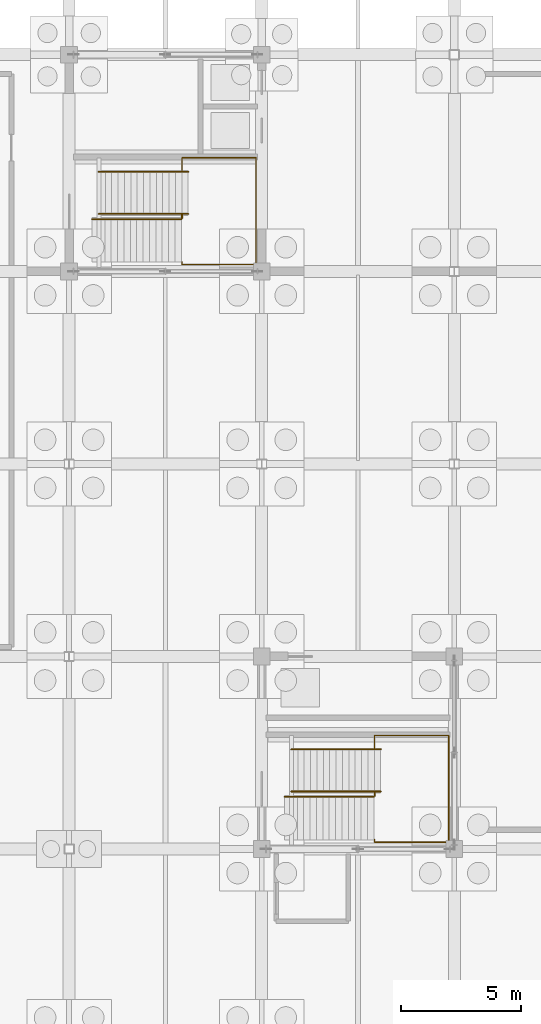
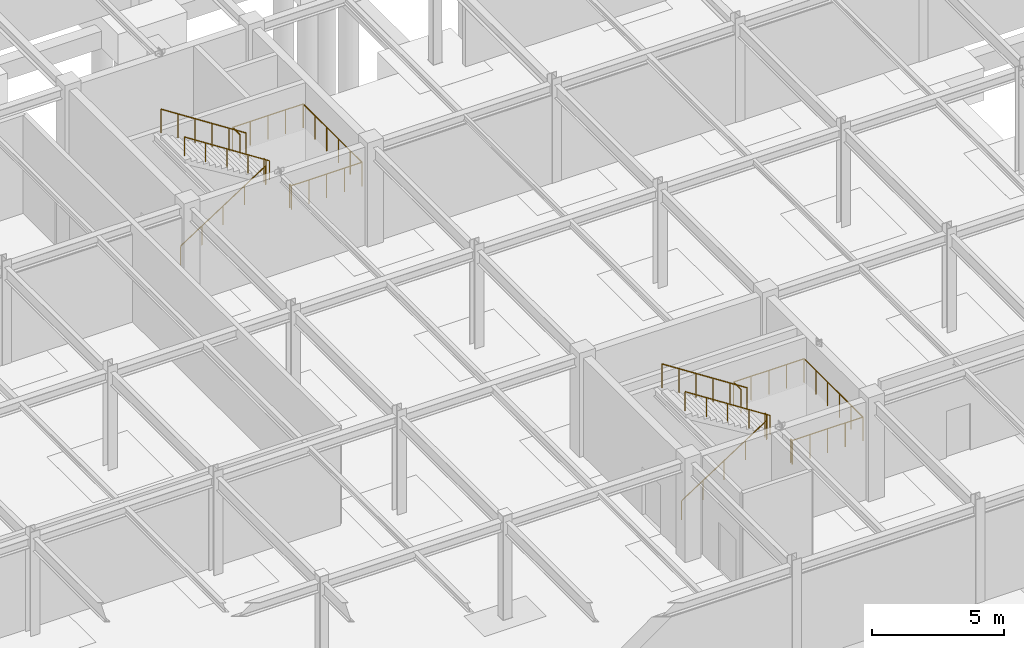
# One storey, part 71 of 72: 10 railings.
"""IFC4 building model written with IfcOpenShell, lengths in metres."""

from ifc_helpers import new_model, si_unit, direction, frame, origin, origin_2d, place, context, subcontext, project, spatial, circle, extrude, material, type_object, element, save


model = new_model("IFC4")

# Units and contexts
model_context = context("Model", 3, precision=1e-05, world=origin(), true_north=direction((0.0, 1.0)))
body_context = subcontext(model_context, "Body", "Model", "MODEL_VIEW")
ifc_project = project(units=[si_unit("LENGTHUNIT", "METRE"), si_unit("AREAUNIT", "SQUARE_METRE"), si_unit("VOLUMEUNIT", "CUBIC_METRE"), si_unit("PLANEANGLEUNIT", "RADIAN"), si_unit("MASSUNIT", "GRAM", prefix="KILO")], contexts=[model_context])

# Site, building, storey
site_placement = place(None, origin())
site = spatial("IfcSite", under=ifc_project, at=site_placement, CompositionType="ELEMENT")
building_placement = place(site_placement, origin())
building = spatial("IfcBuilding", under=site, at=building_placement, Name="Zhaolan Boulevard Law Courts", CompositionType="ELEMENT")
storey_placement = place(building_placement, frame((0.0, 0.0, -4.800048828125)))
storey = spatial("IfcBuildingStorey", under=building, at=storey_placement, Name="B1", CompositionType="ELEMENT", Elevation=-4.800048828125)

# Railings
ifc_material_1 = material(Name="Brushed stainless steel tubular handrail", Category="steel")
railing_type_1 = type_object("IfcRailingType", Name="STAIR HANDRAIL 900", PredefinedType="HANDRAIL", material=ifc_material_1)
railing_1_placement = place(storey_placement, frame((84.949951171875, 72.169921875, 0.0)))
element("IfcRailing", 1, at=railing_1_placement, inside=storey, type_object=railing_type_1, Name="Stair Handrail HR-ST08-B1-1", PredefinedType="HANDRAIL", context=body_context, shape_type="SweptSolid", body=[
    extrude(circle(Radius=0.0224609375, at=origin_2d()), frame((0.0, 0.0, 0.87744140625), z_axis=(0.839613143467, 0.0, 0.543184838999), x_axis=(0.0, 1.0, 0.0)), (0.0, 0.0, 1.0), 4.418701171875),
    extrude(circle(Radius=0.01904296875, at=origin_2d()), origin(), (0.0, 0.0, 1.0), 0.85498046875),
    extrude(circle(Radius=0.01904296875, at=origin_2d()), frame((0.927490234375, 0.0, 0.60009765625)), (0.0, 0.0, 1.0), 0.85498046875),
    extrude(circle(Radius=0.01904296875, at=origin_2d()), frame((1.85498046875, 0.0, 1.2001953125)), (0.0, 0.0, 1.0), 0.85498046875),
    extrude(circle(Radius=0.01904296875, at=origin_2d()), frame((2.782470703125, 0.0, 1.800048828125)), (0.0, 0.0, 1.0), 0.85498046875),
    extrude(circle(Radius=0.01904296875, at=origin_2d()), frame((3.7099609375, 0.0, 2.400146484375)), (0.0, 0.0, 1.0), 0.85498046875),
])
railing_2_placement = place(storey_placement, frame((88.945068359375, 72.389892578125, 2.400146484375)))
element("IfcRailing", 2, at=railing_2_placement, inside=storey, type_object=railing_type_1, Name="Stair Handrail HR-ST08-B1-2", PredefinedType="HANDRAIL", context=body_context, shape_type="SweptSolid", body=[
    extrude(circle(Radius=0.0224609375, at=origin_2d()), frame((0.0, 0.0, 0.87744140625), z_axis=(-0.839638341943, 0.0, 0.543145887161), x_axis=(0.0, -1.0, 0.0)), (0.0, 0.0, 1.0), 4.41845703125),
    extrude(circle(Radius=0.01904296875, at=origin_2d()), origin(), (0.0, 0.0, 1.0), 0.85498046875),
    extrude(circle(Radius=0.01904296875, at=origin_2d()), frame((-0.927490234375, 0.0, 0.60009765625)), (0.0, 0.0, 1.0), 0.85498046875),
    extrude(circle(Radius=0.01904296875, at=origin_2d()), frame((-1.85498046875, 0.0, 1.199951171875)), (0.0, 0.0, 1.0), 0.85498046875),
    extrude(circle(Radius=0.01904296875, at=origin_2d()), frame((-2.782470703125, 0.0, 1.7998046875)), (0.0, 0.0, 1.0), 0.85498046875),
    extrude(circle(Radius=0.01904296875, at=origin_2d()), frame((-3.7099609375, 0.0, 2.39990234375)), (0.0, 0.0, 1.0), 0.85498046875),
])
railing_3_placement = place(storey_placement, frame((76.949951171875, 96.169921875, 0.0)))
element("IfcRailing", 3, at=railing_3_placement, inside=storey, type_object=railing_type_1, Name="Stair Handrail HR-ST11-B1-1", PredefinedType="HANDRAIL", context=body_context, shape_type="SweptSolid", body=[
    extrude(circle(Radius=0.0224609375, at=origin_2d()), frame((0.0, 0.0, 0.87744140625), z_axis=(0.839613143467, 0.0, 0.543184838999), x_axis=(0.0, 1.0, 0.0)), (0.0, 0.0, 1.0), 4.418701171875),
    extrude(circle(Radius=0.01904296875, at=origin_2d()), origin(), (0.0, 0.0, 1.0), 0.85498046875),
    extrude(circle(Radius=0.01904296875, at=origin_2d()), frame((0.927490234375, 0.0, 0.60009765625)), (0.0, 0.0, 1.0), 0.85498046875),
    extrude(circle(Radius=0.01904296875, at=origin_2d()), frame((1.85498046875, 0.0, 1.2001953125)), (0.0, 0.0, 1.0), 0.85498046875),
    extrude(circle(Radius=0.01904296875, at=origin_2d()), frame((2.782470703125, 0.0, 1.800048828125)), (0.0, 0.0, 1.0), 0.85498046875),
    extrude(circle(Radius=0.01904296875, at=origin_2d()), frame((3.7099609375, 0.0, 2.400146484375)), (0.0, 0.0, 1.0), 0.85498046875),
])
railing_4_placement = place(storey_placement, frame((80.945068359375, 96.389892578125, 2.400146484375)))
element("IfcRailing", 4, at=railing_4_placement, inside=storey, type_object=railing_type_1, Name="Stair Handrail HR-ST11-B1-2", PredefinedType="HANDRAIL", context=body_context, shape_type="SweptSolid", body=[
    extrude(circle(Radius=0.0224609375, at=origin_2d()), frame((0.0, 0.0, 0.87744140625), z_axis=(-0.839638341943, 0.0, 0.543145887161), x_axis=(0.0, -1.0, 0.0)), (0.0, 0.0, 1.0), 4.41845703125),
    extrude(circle(Radius=0.01904296875, at=origin_2d()), origin(), (0.0, 0.0, 1.0), 0.85498046875),
    extrude(circle(Radius=0.01904296875, at=origin_2d()), frame((-0.927490234375, 0.0, 0.60009765625)), (0.0, 0.0, 1.0), 0.85498046875),
    extrude(circle(Radius=0.01904296875, at=origin_2d()), frame((-1.85498046875, 0.0, 1.199951171875)), (0.0, 0.0, 1.0), 0.85498046875),
    extrude(circle(Radius=0.01904296875, at=origin_2d()), frame((-2.782470703125, 0.0, 1.7998046875)), (0.0, 0.0, 1.0), 0.85498046875),
    extrude(circle(Radius=0.01904296875, at=origin_2d()), frame((-3.7099609375, 0.0, 2.39990234375)), (0.0, 0.0, 1.0), 0.85498046875),
])
ifc_material_2 = material(Name="Powder-coated steel baluster guardrail", Category="steel")
railing_type_2 = type_object("IfcRailingType", Name="STAIR WELL GUARDRAIL 1120", PredefinedType="GUARDRAIL", material=ifc_material_2)
railing_5_placement = place(storey_placement, frame((88.68994140625, 70.39990234375, 2.400146484375)))
element("IfcRailing", 5, at=railing_5_placement, inside=storey, type_object=railing_type_2, Name="Half-Landing Guardrail SG-ST08-B1-M", PredefinedType="GUARDRAIL", context=body_context, shape_type="SweptSolid", body=[
    extrude(circle(Radius=0.02392578125, at=origin_2d()), frame((0.0, 0.0, 1.09619140625), z_axis=(0.0, -1.0, 0.0), x_axis=(1.0, 0.0, 0.0)), (0.0, 0.0, 1.0), 0.119873046875),
    extrude(circle(Radius=0.02392578125, at=origin_2d()), frame((0.0, -0.119873046875, 1.09619140625), z_axis=(1.0, 0.0, 0.0), x_axis=(0.0, 1.0, 0.0)), (0.0, 0.0, 1.0), 3.080078125),
    extrude(circle(Radius=0.02392578125, at=origin_2d()), frame((3.080078125, -0.119873046875, 1.09619140625), z_axis=(0.0, 1.0, 0.0), x_axis=(-1.0, 0.0, 0.0)), (0.0, 0.0, 1.0), 4.43994140625),
    extrude(circle(Radius=0.02392578125, at=origin_2d()), frame((3.080078125, 4.320068359375, 1.09619140625), z_axis=(-1.0, 0.0, 0.0), x_axis=(0.0, -1.0, 0.0)), (0.0, 0.0, 1.0), 3.080078125),
    extrude(circle(Radius=0.02392578125, at=origin_2d()), frame((0.0, 4.320068359375, 1.09619140625), z_axis=(0.0, -1.0, 0.0), x_axis=(1.0, 0.0, 0.0)), (0.0, 0.0, 1.0), 0.56005859375),
    extrude(circle(Radius=0.02099609375, at=origin_2d()), origin(), (0.0, 0.0, 1.0), 1.072021484375),
    extrude(circle(Radius=0.02099609375, at=origin_2d()), frame((0.0, -0.119873046875, 0.0)), (0.0, 0.0, 1.0), 1.072021484375),
    extrude(circle(Radius=0.02099609375, at=origin_2d()), frame((0.77001953125, -0.119873046875, 0.0)), (0.0, 0.0, 1.0), 1.072021484375),
    extrude(circle(Radius=0.02099609375, at=origin_2d()), frame((1.5400390625, -0.119873046875, 0.0)), (0.0, 0.0, 1.0), 1.072021484375),
    extrude(circle(Radius=0.02099609375, at=origin_2d()), frame((2.31005859375, -0.119873046875, 0.0)), (0.0, 0.0, 1.0), 1.072021484375),
    extrude(circle(Radius=0.02099609375, at=origin_2d()), frame((3.080078125, -0.119873046875, 0.0)), (0.0, 0.0, 1.0), 1.072021484375),
    extrude(circle(Radius=0.02099609375, at=origin_2d()), frame((3.080078125, 0.76806640625, 0.0)), (0.0, 0.0, 1.0), 1.072021484375),
    extrude(circle(Radius=0.02099609375, at=origin_2d()), frame((3.080078125, 1.656005859375, 0.0)), (0.0, 0.0, 1.0), 1.072021484375),
    extrude(circle(Radius=0.02099609375, at=origin_2d()), frame((3.080078125, 2.544189453125, 0.0)), (0.0, 0.0, 1.0), 1.072021484375),
    extrude(circle(Radius=0.02099609375, at=origin_2d()), frame((3.080078125, 3.43212890625, 0.0)), (0.0, 0.0, 1.0), 1.072021484375),
    extrude(circle(Radius=0.02099609375, at=origin_2d()), frame((3.080078125, 4.320068359375, 0.0)), (0.0, 0.0, 1.0), 1.072021484375),
    extrude(circle(Radius=0.02099609375, at=origin_2d()), frame((2.31005859375, 4.320068359375, 0.0)), (0.0, 0.0, 1.0), 1.072021484375),
    extrude(circle(Radius=0.02099609375, at=origin_2d()), frame((1.5400390625, 4.320068359375, 0.0)), (0.0, 0.0, 1.0), 1.072021484375),
    extrude(circle(Radius=0.02099609375, at=origin_2d()), frame((0.77001953125, 4.320068359375, 0.0)), (0.0, 0.0, 1.0), 1.072021484375),
    extrude(circle(Radius=0.02099609375, at=origin_2d()), frame((0.0, 4.320068359375, 0.0)), (0.0, 0.0, 1.0), 1.072021484375),
    extrude(circle(Radius=0.02099609375, at=origin_2d()), frame((0.0, 3.760009765625, 0.0)), (0.0, 0.0, 1.0), 1.072021484375),
])
railing_6_placement = place(storey_placement, frame((88.68994140625, 72.2099609375, 2.400146484375)))
element("IfcRailing", 6, at=railing_6_placement, inside=storey, type_object=railing_type_2, Name="Half-Landing Well Guardrail SG-ST08-B1-W", PredefinedType="GUARDRAIL", context=body_context, shape_type="SweptSolid", body=[
    extrude(circle(Radius=0.02392578125, at=origin_2d()), frame((0.0, 0.0, 1.09619140625), z_axis=(0.0, 1.0, 0.0), x_axis=(-1.0, 0.0, 0.0)), (0.0, 0.0, 1.0), 0.14013671875),
    extrude(circle(Radius=0.02099609375, at=origin_2d()), origin(), (0.0, 0.0, 1.0), 1.072021484375),
    extrude(circle(Radius=0.02099609375, at=origin_2d()), frame((0.0, 0.14013671875, 0.0)), (0.0, 0.0, 1.0), 1.072021484375),
])
railing_7_placement = place(storey_placement, frame((88.945068359375, 74.139892578125, 2.400146484375)))
element("IfcRailing", 7, at=railing_7_placement, inside=storey, type_object=railing_type_2, Name="Flight Guardrail SG-ST08-B1-F2", PredefinedType="GUARDRAIL", context=body_context, shape_type="SweptSolid", body=[
    extrude(circle(Radius=0.02392578125, at=origin_2d()), frame((0.0, 0.0, 1.09619140625), z_axis=(-0.839638341943, 0.0, 0.543145887161), x_axis=(0.0, -1.0, 0.0)), (0.0, 0.0, 1.0), 4.41845703125),
    extrude(circle(Radius=0.02099609375, at=origin_2d()), origin(), (0.0, 0.0, 1.0), 1.072021484375),
    extrude(circle(Radius=0.02099609375, at=origin_2d()), frame((-0.741943359375, 0.0, 0.47998046875)), (0.0, 0.0, 1.0), 1.072021484375),
    extrude(circle(Radius=0.02099609375, at=origin_2d()), frame((-1.48388671875, 0.0, 0.9599609375)), (0.0, 0.0, 1.0), 1.072021484375),
    extrude(circle(Radius=0.02099609375, at=origin_2d()), frame((-2.22607421875, 0.0, 1.43994140625)), (0.0, 0.0, 1.0), 1.072021484375),
    extrude(circle(Radius=0.02099609375, at=origin_2d()), frame((-2.968017578125, 0.0, 1.919921875)), (0.0, 0.0, 1.0), 1.072021484375),
    extrude(circle(Radius=0.02099609375, at=origin_2d()), frame((-3.7099609375, 0.0, 2.39990234375)), (0.0, 0.0, 1.0), 1.072021484375),
])
railing_8_placement = place(storey_placement, frame((80.68994140625, 94.39990234375, 2.400146484375)))
element("IfcRailing", 8, at=railing_8_placement, inside=storey, type_object=railing_type_2, Name="Half-Landing Guardrail SG-ST11-B1-M", PredefinedType="GUARDRAIL", context=body_context, shape_type="SweptSolid", body=[
    extrude(circle(Radius=0.02392578125, at=origin_2d()), frame((0.0, 0.0, 1.09619140625), z_axis=(0.0, -1.0, 0.0), x_axis=(1.0, 0.0, 0.0)), (0.0, 0.0, 1.0), 0.119873046875),
    extrude(circle(Radius=0.02392578125, at=origin_2d()), frame((0.0, -0.119873046875, 1.09619140625), z_axis=(1.0, 0.0, 0.0), x_axis=(0.0, 1.0, 0.0)), (0.0, 0.0, 1.0), 3.080078125),
    extrude(circle(Radius=0.02392578125, at=origin_2d()), frame((3.080078125, -0.119873046875, 1.09619140625), z_axis=(0.0, 1.0, 0.0), x_axis=(-1.0, 0.0, 0.0)), (0.0, 0.0, 1.0), 4.43994140625),
    extrude(circle(Radius=0.02392578125, at=origin_2d()), frame((3.080078125, 4.320068359375, 1.09619140625), z_axis=(-1.0, 0.0, 0.0), x_axis=(0.0, -1.0, 0.0)), (0.0, 0.0, 1.0), 3.080078125),
    extrude(circle(Radius=0.02392578125, at=origin_2d()), frame((0.0, 4.320068359375, 1.09619140625), z_axis=(0.0, -1.0, 0.0), x_axis=(1.0, 0.0, 0.0)), (0.0, 0.0, 1.0), 0.56005859375),
    extrude(circle(Radius=0.02099609375, at=origin_2d()), origin(), (0.0, 0.0, 1.0), 1.072021484375),
    extrude(circle(Radius=0.02099609375, at=origin_2d()), frame((0.0, -0.119873046875, 0.0)), (0.0, 0.0, 1.0), 1.072021484375),
    extrude(circle(Radius=0.02099609375, at=origin_2d()), frame((0.77001953125, -0.119873046875, 0.0)), (0.0, 0.0, 1.0), 1.072021484375),
    extrude(circle(Radius=0.02099609375, at=origin_2d()), frame((1.5400390625, -0.119873046875, 0.0)), (0.0, 0.0, 1.0), 1.072021484375),
    extrude(circle(Radius=0.02099609375, at=origin_2d()), frame((2.31005859375, -0.119873046875, 0.0)), (0.0, 0.0, 1.0), 1.072021484375),
    extrude(circle(Radius=0.02099609375, at=origin_2d()), frame((3.080078125, -0.119873046875, 0.0)), (0.0, 0.0, 1.0), 1.072021484375),
    extrude(circle(Radius=0.02099609375, at=origin_2d()), frame((3.080078125, 0.76806640625, 0.0)), (0.0, 0.0, 1.0), 1.072021484375),
    extrude(circle(Radius=0.02099609375, at=origin_2d()), frame((3.080078125, 1.656005859375, 0.0)), (0.0, 0.0, 1.0), 1.072021484375),
    extrude(circle(Radius=0.02099609375, at=origin_2d()), frame((3.080078125, 2.544189453125, 0.0)), (0.0, 0.0, 1.0), 1.072021484375),
    extrude(circle(Radius=0.02099609375, at=origin_2d()), frame((3.080078125, 3.43212890625, 0.0)), (0.0, 0.0, 1.0), 1.072021484375),
    extrude(circle(Radius=0.02099609375, at=origin_2d()), frame((3.080078125, 4.320068359375, 0.0)), (0.0, 0.0, 1.0), 1.072021484375),
    extrude(circle(Radius=0.02099609375, at=origin_2d()), frame((2.31005859375, 4.320068359375, 0.0)), (0.0, 0.0, 1.0), 1.072021484375),
    extrude(circle(Radius=0.02099609375, at=origin_2d()), frame((1.5400390625, 4.320068359375, 0.0)), (0.0, 0.0, 1.0), 1.072021484375),
    extrude(circle(Radius=0.02099609375, at=origin_2d()), frame((0.77001953125, 4.320068359375, 0.0)), (0.0, 0.0, 1.0), 1.072021484375),
    extrude(circle(Radius=0.02099609375, at=origin_2d()), frame((0.0, 4.320068359375, 0.0)), (0.0, 0.0, 1.0), 1.072021484375),
    extrude(circle(Radius=0.02099609375, at=origin_2d()), frame((0.0, 3.760009765625, 0.0)), (0.0, 0.0, 1.0), 1.072021484375),
])
railing_9_placement = place(storey_placement, frame((80.68994140625, 96.2099609375, 2.400146484375)))
element("IfcRailing", 9, at=railing_9_placement, inside=storey, type_object=railing_type_2, Name="Half-Landing Well Guardrail SG-ST11-B1-W", PredefinedType="GUARDRAIL", context=body_context, shape_type="SweptSolid", body=[
    extrude(circle(Radius=0.02392578125, at=origin_2d()), frame((0.0, 0.0, 1.09619140625), z_axis=(0.0, 1.0, 0.0), x_axis=(-1.0, 0.0, 0.0)), (0.0, 0.0, 1.0), 0.14013671875),
    extrude(circle(Radius=0.02099609375, at=origin_2d()), origin(), (0.0, 0.0, 1.0), 1.072021484375),
    extrude(circle(Radius=0.02099609375, at=origin_2d()), frame((0.0, 0.14013671875, 0.0)), (0.0, 0.0, 1.0), 1.072021484375),
])
railing_10_placement = place(storey_placement, frame((80.945068359375, 98.139892578125, 2.400146484375)))
element("IfcRailing", 10, at=railing_10_placement, inside=storey, type_object=railing_type_2, Name="Flight Guardrail SG-ST11-B1-F2", PredefinedType="GUARDRAIL", context=body_context, shape_type="SweptSolid", body=[
    extrude(circle(Radius=0.02392578125, at=origin_2d()), frame((0.0, 0.0, 1.09619140625), z_axis=(-0.839638341943, 0.0, 0.543145887161), x_axis=(0.0, -1.0, 0.0)), (0.0, 0.0, 1.0), 4.41845703125),
    extrude(circle(Radius=0.02099609375, at=origin_2d()), origin(), (0.0, 0.0, 1.0), 1.072021484375),
    extrude(circle(Radius=0.02099609375, at=origin_2d()), frame((-0.741943359375, 0.0, 0.47998046875)), (0.0, 0.0, 1.0), 1.072021484375),
    extrude(circle(Radius=0.02099609375, at=origin_2d()), frame((-1.48388671875, 0.0, 0.9599609375)), (0.0, 0.0, 1.0), 1.072021484375),
    extrude(circle(Radius=0.02099609375, at=origin_2d()), frame((-2.22607421875, 0.0, 1.43994140625)), (0.0, 0.0, 1.0), 1.072021484375),
    extrude(circle(Radius=0.02099609375, at=origin_2d()), frame((-2.968017578125, 0.0, 1.919921875)), (0.0, 0.0, 1.0), 1.072021484375),
    extrude(circle(Radius=0.02099609375, at=origin_2d()), frame((-3.7099609375, 0.0, 2.39990234375)), (0.0, 0.0, 1.0), 1.072021484375),
])

save(model, "model.ifc")
